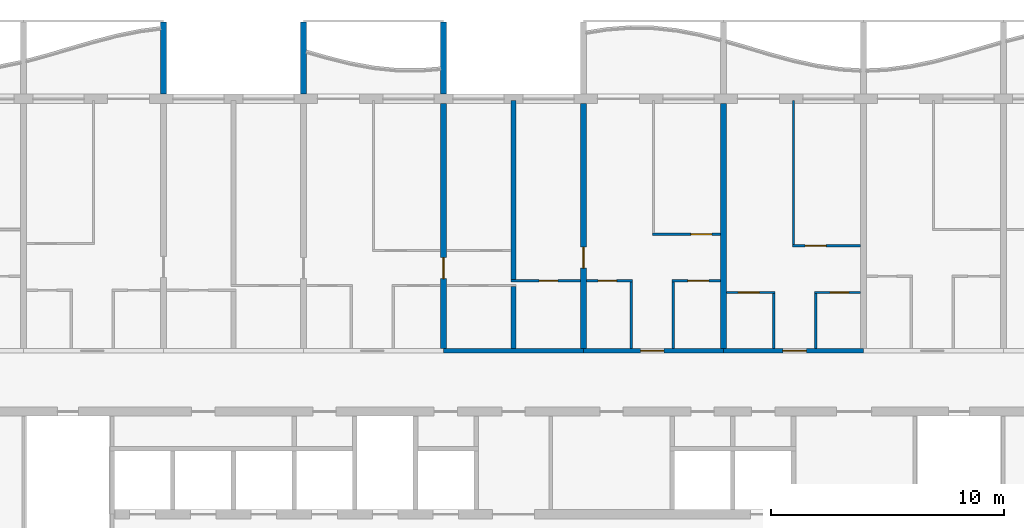
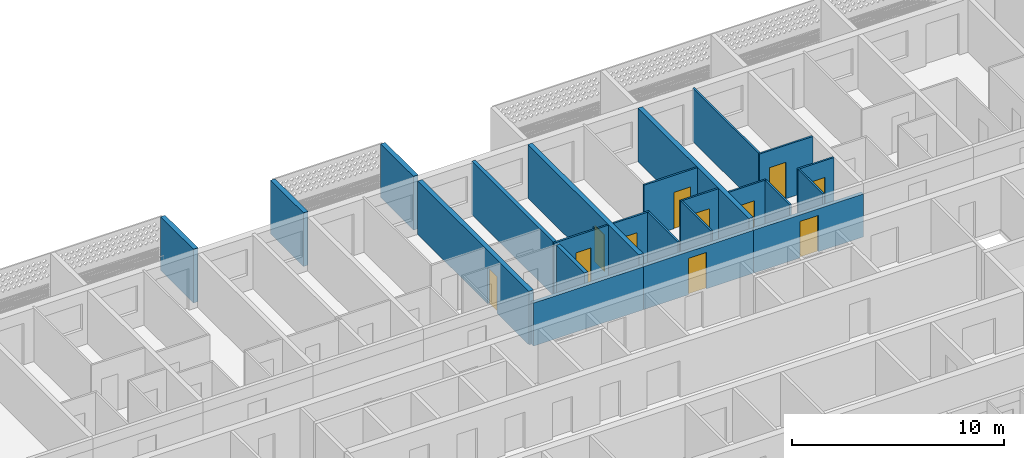
# One storey, part 9 of 28: 23 walls, 11 doors, 11 openings.
"""IFC4 building model written with IfcOpenShell, lengths in metres."""

from ifc_helpers import new_model, si_unit, direction, frame, frame_2d, origin, place, context, subcontext, project, spatial, polyline, rectangle, outline, extrude, source, transform, mapped, material, layer, layer_set, type_object, element, fill, save


model = new_model("IFC4")

# Units and contexts
model_context = context("Model", 3, precision=1e-05, world=origin(), true_north=direction((0.0, 1.0)))
body_context = subcontext(model_context, "Body", "Model", "MODEL_VIEW")
ifc_project = project(units=[si_unit("LENGTHUNIT", "METRE"), si_unit("AREAUNIT", "SQUARE_METRE"), si_unit("VOLUMEUNIT", "CUBIC_METRE"), si_unit("PLANEANGLEUNIT", "RADIAN"), si_unit("MASSUNIT", "GRAM", prefix="KILO")], contexts=[model_context])

# Site, building, storey
site_placement = place(None, origin())
site = spatial("IfcSite", under=ifc_project, at=site_placement, CompositionType="ELEMENT")
building_placement = place(site_placement, origin())
building = spatial("IfcBuilding", under=site, at=building_placement, Name="Poui Terraces", CompositionType="ELEMENT")
storey_placement = place(building_placement, frame((0.0, 0.0, 188.39990234375)))
storey = spatial("IfcBuildingStorey", under=building, at=storey_placement, Name="L52", CompositionType="ELEMENT", Elevation=188.39990234375)

# Wall
ifc_material_1 = material(Name="Concrete 50 MPa", Category="concrete")
ifc_layer_1 = layer(ifc_material_1, 0.199951171875)
ifc_layer_set_1 = layer_set([ifc_layer_1], Name="Concrete 50 MPa")
wall_type_1 = type_object("IfcWallType", Name="CORRIDOR WALL 200 50MPa", PredefinedType="SHEAR", material=ifc_layer_set_1)
wall_1_placement = place(storey_placement, frame((48.0, 30.39990234375, 0.0), z_axis=(0.0, 0.0, 1.0), x_axis=(1.0, 0.0, 0.0)))
element("IfcWall", 1, at=wall_1_placement, inside=storey, type_object=wall_type_1, Name="CORRIDOR WALL LINE E BAY 6", PredefinedType="SHEAR", context=body_context, shape_type="SweptSolid", body=[
    extrude(rectangle(XDim=6.0, YDim=0.199951171875, at=frame_2d((3.0, 0.0))), origin(), (0.0, 0.0, 1.0), 2.47998046875),
])

# Wall, opening, door
wall_2_placement = place(storey_placement, frame((54.0, 30.39990234375, 0.0), z_axis=(0.0, 0.0, 1.0), x_axis=(1.0, 0.0, 0.0)))
wall_2 = element("IfcWall", 2, at=wall_2_placement, inside=storey, type_object=wall_type_1, Name="CORRIDOR WALL LINE E BAY 7", PredefinedType="SHEAR", context=body_context, shape_type="SweptSolid", body=[
    extrude(rectangle(XDim=6.0, YDim=0.199951171875, at=frame_2d((3.0, 0.0))), origin(), (0.0, 0.0, 1.0), 2.47998046875),
])
opening_1_placement = place(wall_2_placement, frame((2.449951171875, 0.0, 0.0)))
opening_1 = element("IfcOpeningElement", 3, at=opening_1_placement, cuts=wall_2, Name="Opening FD30S", PredefinedType="OPENING", context=body_context, shape_type="SweptSolid", body=[
    extrude(rectangle(XDim=1.0, YDim=2.10009765625, at=frame_2d((0.5, 1.050048828125))), frame((0.0, 0.10986328125, 0.0), z_axis=(0.0, -1.0, 0.0), x_axis=(1.0, 0.0, 0.0)), (0.0, 0.0, 1.0), 0.219970703125),
])
ifc_material_2 = material(Name="Steel fire door", Category="steel")
door_type_1 = type_object("IfcDoorType", Name="FLAT ENTRANCE DOOR 1000 X 2100", OperationType="NOTDEFINED", PredefinedType="DOOR", material=ifc_material_2)
door_1_placement = place(opening_1_placement, origin())
door_1 = element("IfcDoor", 4, at=door_1_placement, inside=storey, type_object=door_type_1, Name="FLAT ENTRANCE DOOR 049", OperationType="SINGLE_SWING_LEFT", OverallHeight=2.10009765625, OverallWidth=1.0, PredefinedType="DOOR", context=body_context, shape_type="SweptSolid", body=[
    extrude(rectangle(XDim=1.0, YDim=2.10009765625, at=frame_2d((0.5, 1.050048828125))), frame((0.0, 0.02490234375, 0.0), z_axis=(0.0, -1.0, 0.0), x_axis=(1.0, 0.0, 0.0)), (0.0, 0.0, 1.0), 0.050048828125),
])
fill(opening_1, door_1)

wall_3_placement = place(storey_placement, frame((60.0, 30.39990234375, 0.0), z_axis=(0.0, 0.0, 1.0), x_axis=(1.0, 0.0, 0.0)))
wall_3 = element("IfcWall", 5, at=wall_3_placement, inside=storey, type_object=wall_type_1, Name="CORRIDOR WALL LINE E BAY 8", PredefinedType="SHEAR", context=body_context, shape_type="SweptSolid", body=[
    extrude(rectangle(XDim=6.0, YDim=0.199951171875, at=frame_2d((3.0, 0.0))), origin(), (0.0, 0.0, 1.0), 2.47998046875),
])
opening_2_placement = place(wall_3_placement, frame((2.550048828125, 0.0, 0.0)))
opening_2 = element("IfcOpeningElement", 6, at=opening_2_placement, cuts=wall_3, Name="Opening FD30S", PredefinedType="OPENING", context=body_context, shape_type="SweptSolid", body=[
    extrude(rectangle(XDim=1.0, YDim=2.10009765625, at=frame_2d((0.5, 1.050048828125))), frame((0.0, 0.10986328125, 0.0), z_axis=(0.0, -1.0, 0.0), x_axis=(1.0, 0.0, 0.0)), (0.0, 0.0, 1.0), 0.219970703125),
])
door_2_placement = place(opening_2_placement, origin())
door_2 = element("IfcDoor", 7, at=door_2_placement, inside=storey, type_object=door_type_1, Name="FLAT ENTRANCE DOOR 053", OperationType="SINGLE_SWING_RIGHT", OverallHeight=2.10009765625, OverallWidth=1.0, PredefinedType="DOOR", context=body_context, shape_type="SweptSolid", body=[
    extrude(rectangle(XDim=1.0, YDim=2.10009765625, at=frame_2d((0.5, 1.050048828125))), frame((0.0, 0.02490234375, 0.0), z_axis=(0.0, -1.0, 0.0), x_axis=(1.0, 0.0, 0.0)), (0.0, 0.0, 1.0), 0.050048828125),
])
fill(opening_2, door_2)

ifc_layer_2 = layer(ifc_material_1, 0.25)
ifc_layer_set_2 = layer_set([ifc_layer_2], Name="Concrete 50 MPa")
wall_type_2 = type_object("IfcWallType", Name="CROSS WALL 250 50MPa", PredefinedType="SHEAR", material=ifc_layer_set_2)
wall_4_placement = place(storey_placement, frame((48.0, 30.5, 0.0), z_axis=(0.0, 0.0, 1.0), x_axis=(0.0, 1.0, 0.0)))
wall_4 = element("IfcWall", 8, at=wall_4_placement, inside=storey, type_object=wall_type_2, Name="CROSS WALL LINE 9 NORTH", PredefinedType="SHEAR", context=body_context, shape_type="SweptSolid", body=[
    extrude(rectangle(XDim=10.5, YDim=0.25, at=frame_2d((5.25, 0.0))), origin(), (0.0, 0.0, 1.0), 3.080078125),
])
opening_3_placement = place(wall_4_placement, frame((3.0, 0.0, 0.0)))
opening_3 = element("IfcOpeningElement", 9, at=opening_3_placement, cuts=wall_4, Name="Opening D90", PredefinedType="OPENING", context=body_context, shape_type="SweptSolid", body=[
    extrude(rectangle(XDim=0.89990234375, YDim=2.10009765625, at=frame_2d((0.449951171875, 1.050048828125))), frame((0.0, 0.135009765625, 0.0), z_axis=(0.0, -1.0, 0.0), x_axis=(1.0, 0.0, 0.0)), (0.0, 0.0, 1.0), 0.27001953125),
])
ifc_material_3 = material(Name="Solid core timber door", Category="wood")
door_type_2 = type_object("IfcDoorType", Name="INTERNAL DOOR 900 X 2100", OperationType="NOTDEFINED", PredefinedType="DOOR", material=ifc_material_3)
door_3_placement = place(opening_3_placement, origin())
door_3 = element("IfcDoor", 10, at=door_3_placement, inside=storey, type_object=door_type_2, Name="INTERNAL DOOR 045", OperationType="SINGLE_SWING_LEFT", OverallHeight=2.10009765625, OverallWidth=0.89990234375, PredefinedType="DOOR", context=body_context, shape_type="SweptSolid", body=[
    extrude(rectangle(XDim=0.89990234375, YDim=2.10009765625, at=frame_2d((0.449951171875, 1.050048828125))), frame((0.0, 0.02490234375, 0.0), z_axis=(0.0, -1.0, 0.0), x_axis=(1.0, 0.0, 0.0)), (0.0, 0.0, 1.0), 0.050048828125),
])
fill(opening_3, door_3)

wall_5_placement = place(storey_placement, frame((54.0, 30.5, 0.0), z_axis=(0.0, 0.0, 1.0), x_axis=(0.0, 1.0, 0.0)))
wall_5 = element("IfcWall", 11, at=wall_5_placement, inside=storey, type_object=wall_type_2, Name="CROSS WALL LINE 10 NORTH", PredefinedType="SHEAR", context=body_context, shape_type="SweptSolid", body=[
    extrude(rectangle(XDim=10.5, YDim=0.25, at=frame_2d((5.25, 0.0))), origin(), (0.0, 0.0, 1.0), 3.080078125),
])
opening_4_placement = place(wall_5_placement, frame((3.449951171875, 0.0, 0.0)))
opening_4 = element("IfcOpeningElement", 12, at=opening_4_placement, cuts=wall_5, Name="Opening D90", PredefinedType="OPENING", context=body_context, shape_type="SweptSolid", body=[
    extrude(rectangle(XDim=0.89990234375, YDim=2.10009765625, at=frame_2d((0.449951171875, 1.050048828125))), frame((0.0, 0.135009765625, 0.0), z_axis=(0.0, -1.0, 0.0), x_axis=(1.0, 0.0, 0.0)), (0.0, 0.0, 1.0), 0.27001953125),
])
door_4_placement = place(opening_4_placement, origin())
door_4 = element("IfcDoor", 13, at=door_4_placement, inside=storey, type_object=door_type_2, Name="INTERNAL DOOR 047", OperationType="SINGLE_SWING_LEFT", OverallHeight=2.10009765625, OverallWidth=0.89990234375, PredefinedType="DOOR", context=body_context, shape_type="SweptSolid", body=[
    extrude(rectangle(XDim=0.89990234375, YDim=2.10009765625, at=frame_2d((0.449951171875, 1.050048828125))), frame((0.0, 0.02490234375, 0.0), z_axis=(0.0, -1.0, 0.0), x_axis=(1.0, 0.0, 0.0)), (0.0, 0.0, 1.0), 0.050048828125),
])
fill(opening_4, door_4)

# Wall
wall_6_placement = place(storey_placement, frame((60.0, 30.5, 0.0), z_axis=(0.0, 0.0, 1.0), x_axis=(0.0, 1.0, 0.0)))
element("IfcWall", 14, at=wall_6_placement, inside=storey, type_object=wall_type_2, Name="CROSS WALL LINE 11 NORTH", PredefinedType="SHEAR", context=body_context, shape_type="SweptSolid", body=[
    extrude(rectangle(XDim=10.5, YDim=0.25, at=frame_2d((5.25, 0.0))), origin(), (0.0, 0.0, 1.0), 3.080078125),
])

# Wall, opening, door
ifc_material_4 = material(Name="Plasterboard partition")
ifc_layer_3 = layer(ifc_material_4, 0.10009765625)
ifc_layer_set_3 = layer_set([ifc_layer_3], Name="Plasterboard partition")
wall_type_3 = type_object("IfcWallType", Name="FLAT PARTITION 100", PredefinedType="PARTITIONING", material=ifc_layer_set_3)
wall_7_placement = place(storey_placement, frame((60.135009765625, 32.89990234375, 0.0), z_axis=(0.0, 0.0, 1.0), x_axis=(1.0, 0.0, 0.0)))
wall_7 = element("IfcWall", 15, at=wall_7_placement, inside=storey, type_object=wall_type_3, Name="FLAT PARTITION 100", PredefinedType="PARTITIONING", context=body_context, shape_type="SweptSolid", body=[
    extrude(rectangle(XDim=2.06494140625, YDim=0.10009765625, at=frame_2d((1.032470703125, 0.0))), origin(), (0.0, 0.0, 1.0), 3.080078125),
])
opening_5_placement = place(wall_7_placement, frame((0.489990234375, 0.0, 0.0)))
opening_5 = element("IfcOpeningElement", 16, at=opening_5_placement, cuts=wall_7, Name="Opening D90", PredefinedType="OPENING", context=body_context, shape_type="SweptSolid", body=[
    extrude(rectangle(XDim=0.89990234375, YDim=2.10009765625, at=frame_2d((0.449951171875, 1.050048828125))), frame((0.0, 0.06005859375, 0.0), z_axis=(0.0, -1.0, 0.0), x_axis=(1.0, 0.0, 0.0)), (0.0, 0.0, 1.0), 0.1201171875),
])
door_5_placement = place(opening_5_placement, frame((0.89990234375, 0.0, 0.0), z_axis=(0.0, 0.0, 1.0), x_axis=(-1.0, 0.0, 0.0)))
door_5 = element("IfcDoor", 17, at=door_5_placement, inside=storey, type_object=door_type_2, Name="INTERNAL DOOR 052", OperationType="SINGLE_SWING_LEFT", OverallHeight=2.10009765625, OverallWidth=0.89990234375, PredefinedType="DOOR", context=body_context, shape_type="SweptSolid", body=[
    extrude(rectangle(XDim=0.89990234375, YDim=2.10009765625, at=frame_2d((0.449951171875, 1.050048828125))), frame((0.0, 0.02490234375, 0.0), z_axis=(0.0, -1.0, 0.0), x_axis=(1.0, 0.0, 0.0)), (0.0, 0.0, 1.0), 0.050048828125),
])
fill(opening_5, door_5)

wall_8_placement = place(storey_placement, frame((63.89990234375, 32.89990234375, 0.0), z_axis=(0.0, 0.0, 1.0), x_axis=(1.0, 0.0, 0.0)))
wall_8 = element("IfcWall", 18, at=wall_8_placement, inside=storey, type_object=wall_type_3, Name="FLAT PARTITION 100", PredefinedType="PARTITIONING", context=body_context, shape_type="SweptSolid", body=[
    extrude(rectangle(XDim=1.965087890625, YDim=0.10009765625, at=frame_2d((0.982421875, 0.0))), origin(), (0.0, 0.0, 1.0), 3.080078125),
])
opening_6_placement = place(wall_8_placement, frame((0.675048828125, 0.0, 0.0)))
opening_6 = element("IfcOpeningElement", 19, at=opening_6_placement, cuts=wall_8, Name="Opening D80", PredefinedType="OPENING", context=body_context, shape_type="SweptSolid", body=[
    extrude(rectangle(XDim=0.800048828125, YDim=2.10009765625, at=frame_2d((0.39990234375, 1.050048828125))), frame((0.0, 0.06005859375, 0.0), z_axis=(0.0, -1.0, 0.0), x_axis=(1.0, 0.0, 0.0)), (0.0, 0.0, 1.0), 0.1201171875),
])
door_type_3 = type_object("IfcDoorType", Name="BATHROOM, LAUNDRY AND STORE DOOR 800 X 2100", OperationType="NOTDEFINED", PredefinedType="DOOR", material=ifc_material_3)
door_6_placement = place(opening_6_placement, frame((0.800048828125, 0.0, 0.0), z_axis=(0.0, 0.0, 1.0), x_axis=(-1.0, 0.0, 0.0)))
door_6 = element("IfcDoor", 20, at=door_6_placement, inside=storey, type_object=door_type_3, Name="BATHROOM, LAUNDRY AND STORE DOOR 055", OperationType="SINGLE_SWING_RIGHT", OverallHeight=2.10009765625, OverallWidth=0.800048828125, PredefinedType="DOOR", context=body_context, shape_type="SweptSolid", body=[
    extrude(rectangle(XDim=0.800048828125, YDim=2.10009765625, at=frame_2d((0.39990234375, 1.050048828125))), frame((0.0, 0.02490234375, 0.0), z_axis=(0.0, -1.0, 0.0), x_axis=(1.0, 0.0, 0.0)), (0.0, 0.0, 1.0), 0.050048828125),
])
fill(opening_6, door_6)

wall_9_placement = place(storey_placement, frame((50.89990234375, 33.39990234375, 0.0), z_axis=(0.0, 0.0, 1.0), x_axis=(1.0, 0.0, 0.0)))
wall_9 = element("IfcWall", 21, at=wall_9_placement, inside=storey, type_object=wall_type_3, Name="FLAT PARTITION 100", PredefinedType="PARTITIONING", context=body_context, shape_type="SweptSolid", body=[
    extrude(rectangle(XDim=2.965087890625, YDim=0.10009765625, at=frame_2d((1.482421875, 0.0))), origin(), (0.0, 0.0, 1.0), 3.080078125),
])
opening_7_placement = place(wall_9_placement, frame((1.199951171875, 0.0, 0.0)))
opening_7 = element("IfcOpeningElement", 22, at=opening_7_placement, cuts=wall_9, Name="Opening D80", PredefinedType="OPENING", context=body_context, shape_type="SweptSolid", body=[
    extrude(rectangle(XDim=0.800048828125, YDim=2.10009765625, at=frame_2d((0.39990234375, 1.050048828125))), frame((0.0, 0.06005859375, 0.0), z_axis=(0.0, -1.0, 0.0), x_axis=(1.0, 0.0, 0.0)), (0.0, 0.0, 1.0), 0.1201171875),
])
door_7_placement = place(opening_7_placement, frame((0.800048828125, 0.0, 0.0), z_axis=(0.0, 0.0, 1.0), x_axis=(-1.0, 0.0, 0.0)))
door_7 = element("IfcDoor", 23, at=door_7_placement, inside=storey, type_object=door_type_3, Name="BATHROOM, LAUNDRY AND STORE DOOR 046", OperationType="SINGLE_SWING_RIGHT", OverallHeight=2.10009765625, OverallWidth=0.800048828125, PredefinedType="DOOR", context=body_context, shape_type="SweptSolid", body=[
    extrude(rectangle(XDim=0.800048828125, YDim=2.10009765625, at=frame_2d((0.39990234375, 1.050048828125))), frame((0.0, 0.02490234375, 0.0), z_axis=(0.0, -1.0, 0.0), x_axis=(1.0, 0.0, 0.0)), (0.0, 0.0, 1.0), 0.050048828125),
])
fill(opening_7, door_7)

wall_10_placement = place(storey_placement, frame((54.135009765625, 33.39990234375, 0.0), z_axis=(0.0, 0.0, 1.0), x_axis=(1.0, 0.0, 0.0)))
wall_10 = element("IfcWall", 24, at=wall_10_placement, inside=storey, type_object=wall_type_3, Name="FLAT PARTITION 100", PredefinedType="PARTITIONING", context=body_context, shape_type="SweptSolid", body=[
    extrude(rectangle(XDim=1.965087890625, YDim=0.10009765625, at=frame_2d((0.982421875, 0.0))), origin(), (0.0, 0.0, 1.0), 3.080078125),
])
opening_8_placement = place(wall_10_placement, frame((0.489990234375, 0.0, 0.0)))
opening_8 = element("IfcOpeningElement", 25, at=opening_8_placement, cuts=wall_10, Name="Opening D80", PredefinedType="OPENING", context=body_context, shape_type="SweptSolid", body=[
    extrude(rectangle(XDim=0.800048828125, YDim=2.10009765625, at=frame_2d((0.39990234375, 1.050048828125))), frame((0.0, 0.06005859375, 0.0), z_axis=(0.0, -1.0, 0.0), x_axis=(1.0, 0.0, 0.0)), (0.0, 0.0, 1.0), 0.1201171875),
])
door_8_placement = place(opening_8_placement, frame((0.800048828125, 0.0, 0.0), z_axis=(0.0, 0.0, 1.0), x_axis=(-1.0, 0.0, 0.0)))
door_8 = element("IfcDoor", 26, at=door_8_placement, inside=storey, type_object=door_type_3, Name="BATHROOM, LAUNDRY AND STORE DOOR 048", OperationType="SINGLE_SWING_RIGHT", OverallHeight=2.10009765625, OverallWidth=0.800048828125, PredefinedType="DOOR", context=body_context, shape_type="SweptSolid", body=[
    extrude(rectangle(XDim=0.800048828125, YDim=2.10009765625, at=frame_2d((0.39990234375, 1.050048828125))), frame((0.0, 0.02490234375, 0.0), z_axis=(0.0, -1.0, 0.0), x_axis=(1.0, 0.0, 0.0)), (0.0, 0.0, 1.0), 0.050048828125),
])
fill(opening_8, door_8)

wall_11_placement = place(storey_placement, frame((57.800048828125, 33.39990234375, 0.0), z_axis=(0.0, 0.0, 1.0), x_axis=(1.0, 0.0, 0.0)))
wall_11 = element("IfcWall", 27, at=wall_11_placement, inside=storey, type_object=wall_type_3, Name="FLAT PARTITION 100", PredefinedType="PARTITIONING", context=body_context, shape_type="SweptSolid", body=[
    extrude(rectangle(XDim=2.06494140625, YDim=0.10009765625, at=frame_2d((1.032470703125, 0.0))), origin(), (0.0, 0.0, 1.0), 3.080078125),
])
opening_9_placement = place(wall_11_placement, frame((0.675048828125, 0.0, 0.0)))
opening_9 = element("IfcOpeningElement", 28, at=opening_9_placement, cuts=wall_11, Name="Opening D90", PredefinedType="OPENING", context=body_context, shape_type="SweptSolid", body=[
    extrude(rectangle(XDim=0.89990234375, YDim=2.10009765625, at=frame_2d((0.449951171875, 1.050048828125))), frame((0.0, 0.06005859375, 0.0), z_axis=(0.0, -1.0, 0.0), x_axis=(1.0, 0.0, 0.0)), (0.0, 0.0, 1.0), 0.1201171875),
])
door_9_placement = place(opening_9_placement, frame((0.89990234375, 0.0, 0.0), z_axis=(0.0, 0.0, 1.0), x_axis=(-1.0, 0.0, 0.0)))
door_9 = element("IfcDoor", 29, at=door_9_placement, inside=storey, type_object=door_type_2, Name="INTERNAL DOOR 050", OperationType="SINGLE_SWING_LEFT", OverallHeight=2.10009765625, OverallWidth=0.89990234375, PredefinedType="DOOR", context=body_context, shape_type="SweptSolid", body=[
    extrude(rectangle(XDim=0.89990234375, YDim=2.10009765625, at=frame_2d((0.449951171875, 1.050048828125))), frame((0.0, 0.02490234375, 0.0), z_axis=(0.0, -1.0, 0.0), x_axis=(1.0, 0.0, 0.0)), (0.0, 0.0, 1.0), 0.050048828125),
])
fill(opening_9, door_9)

wall_12_placement = place(storey_placement, frame((62.949951171875, 34.89990234375, 0.0), z_axis=(0.0, 0.0, 1.0), x_axis=(1.0, 0.0, 0.0)))
wall_12 = element("IfcWall", 30, at=wall_12_placement, inside=storey, type_object=wall_type_3, Name="FLAT PARTITION 100", PredefinedType="PARTITIONING", context=body_context, shape_type="SweptSolid", body=[
    extrude(rectangle(XDim=2.9150390625, YDim=0.10009765625, at=frame_2d((1.45751953125, 0.0))), origin(), (0.0, 0.0, 1.0), 3.080078125),
])
opening_10_placement = place(wall_12_placement, frame((0.550048828125, 0.0, 0.0)))
opening_10 = element("IfcOpeningElement", 31, at=opening_10_placement, cuts=wall_12, Name="Opening D90", PredefinedType="OPENING", context=body_context, shape_type="SweptSolid", body=[
    extrude(rectangle(XDim=0.89990234375, YDim=2.10009765625, at=frame_2d((0.449951171875, 1.050048828125))), frame((0.0, 0.06005859375, 0.0), z_axis=(0.0, -1.0, 0.0), x_axis=(1.0, 0.0, 0.0)), (0.0, 0.0, 1.0), 0.1201171875),
])
door_10_placement = place(opening_10_placement, frame((0.89990234375, 0.0, 0.0), z_axis=(0.0, 0.0, 1.0), x_axis=(-1.0, 0.0, 0.0)))
door_10 = element("IfcDoor", 32, at=door_10_placement, inside=storey, type_object=door_type_2, Name="INTERNAL DOOR 054", OperationType="SINGLE_SWING_LEFT", OverallHeight=2.10009765625, OverallWidth=0.89990234375, PredefinedType="DOOR", context=body_context, shape_type="SweptSolid", body=[
    extrude(rectangle(XDim=0.89990234375, YDim=2.10009765625, at=frame_2d((0.449951171875, 1.050048828125))), frame((0.0, 0.02490234375, 0.0), z_axis=(0.0, -1.0, 0.0), x_axis=(1.0, 0.0, 0.0)), (0.0, 0.0, 1.0), 0.050048828125),
])
fill(opening_10, door_10)

wall_13_placement = place(storey_placement, frame((56.949951171875, 35.39990234375, 0.0), z_axis=(0.0, 0.0, 1.0), x_axis=(1.0, 0.0, 0.0)))
wall_13 = element("IfcWall", 33, at=wall_13_placement, inside=storey, type_object=wall_type_3, Name="FLAT PARTITION 100", PredefinedType="PARTITIONING", context=body_context, shape_type="SweptSolid", body=[
    extrude(rectangle(XDim=2.9150390625, YDim=0.10009765625, at=frame_2d((1.45751953125, 0.0))), origin(), (0.0, 0.0, 1.0), 3.080078125),
])
opening_11_placement = place(wall_13_placement, frame((1.64990234375, 0.0, 0.0)))
opening_11 = element("IfcOpeningElement", 34, at=opening_11_placement, cuts=wall_13, Name="Opening D90", PredefinedType="OPENING", context=body_context, shape_type="SweptSolid", body=[
    extrude(rectangle(XDim=0.89990234375, YDim=2.10009765625, at=frame_2d((0.449951171875, 1.050048828125))), frame((0.0, 0.06005859375, 0.0), z_axis=(0.0, -1.0, 0.0), x_axis=(1.0, 0.0, 0.0)), (0.0, 0.0, 1.0), 0.1201171875),
])
door_11_placement = place(opening_11_placement, frame((0.89990234375, 0.0, 0.0), z_axis=(0.0, 0.0, 1.0), x_axis=(-1.0, 0.0, 0.0)))
door_11 = element("IfcDoor", 35, at=door_11_placement, inside=storey, type_object=door_type_2, Name="INTERNAL DOOR 051", OperationType="SINGLE_SWING_RIGHT", OverallHeight=2.10009765625, OverallWidth=0.89990234375, PredefinedType="DOOR", context=body_context, shape_type="SweptSolid", body=[
    extrude(rectangle(XDim=0.89990234375, YDim=2.10009765625, at=frame_2d((0.449951171875, 1.050048828125))), frame((0.0, 0.02490234375, 0.0), z_axis=(0.0, -1.0, 0.0), x_axis=(1.0, 0.0, 0.0)), (0.0, 0.0, 1.0), 0.050048828125),
])
fill(opening_11, door_11)

# Walls
for number, where, z_axis, x_axis, name in (
    (36, (56.050048828125, 30.510009765625, 0.0), (0.0, 0.0, 1.0), (0.0, 1.0, 0.0), "FLAT PARTITION 100"),
    (37, (57.85009765625, 30.510009765625, 0.0), (0.0, 0.0, 1.0), (0.0, 1.0, 0.0), "FLAT PARTITION 100"),
):
    element("IfcWall", number, at=place(storey_placement, frame(where, z_axis=z_axis, x_axis=x_axis)), inside=storey, type_object=wall_type_3, Name=name, PredefinedType="PARTITIONING", context=body_context, shape_type="SweptSolid", body=[
        extrude(rectangle(XDim=2.840087890625, YDim=0.10009765625, at=frame_2d((1.419921875, 0.0))), origin(), (0.0, 0.0, 1.0), 3.080078125),
    ])
wall_14_placement = place(storey_placement, frame((62.14990234375, 30.510009765625, 0.0), z_axis=(0.0, 0.0, 1.0), x_axis=(0.0, 1.0, 0.0)))
element("IfcWall", 38, at=wall_14_placement, inside=storey, type_object=wall_type_3, Name="FLAT PARTITION 100", PredefinedType="PARTITIONING", context=body_context, shape_type="SweptSolid", body=[
    extrude(rectangle(XDim=2.340087890625, YDim=0.10009765625, at=frame_2d((1.169921875, 0.0))), origin(), (0.0, 0.0, 1.0), 3.080078125),
])
wall_15_placement = place(storey_placement, frame((63.0, 34.949951171875, 0.0), z_axis=(0.0, 0.0, 1.0), x_axis=(0.0, 1.0, 0.0)))
element("IfcWall", 39, at=wall_15_placement, inside=storey, type_object=wall_type_3, Name="FLAT PARTITION 100", PredefinedType="PARTITIONING", context=body_context, shape_type="SweptSolid", body=[
    extrude(rectangle(XDim=6.18994140625, YDim=0.10009765625, at=frame_2d((3.094970703125, 0.0))), origin(), (0.0, 0.0, 1.0), 3.080078125),
])
wall_16_placement = place(storey_placement, frame((63.949951171875, 30.510009765625, 0.0), z_axis=(0.0, 0.0, 1.0), x_axis=(0.0, 1.0, 0.0)))
element("IfcWall", 40, at=wall_16_placement, inside=storey, type_object=wall_type_3, Name="FLAT PARTITION 100", PredefinedType="PARTITIONING", context=body_context, shape_type="SweptSolid", body=[
    extrude(rectangle(XDim=2.340087890625, YDim=0.10009765625, at=frame_2d((1.169921875, 0.0))), origin(), (0.0, 0.0, 1.0), 3.080078125),
])
ifc_material_5 = material(Name="Fire-rated masonry wall", Category="masonry")
ifc_layer_4 = layer(ifc_material_5, 0.199951171875)
ifc_layer_set_4 = layer_set([ifc_layer_4], Name="Fire-rated masonry wall")
wall_type_4 = type_object("IfcWallType", Name="FLAT PARTY WALL 200", PredefinedType="PARTITIONING", material=ifc_layer_set_4)
wall_17_placement = place(storey_placement, frame((51.0, 30.510009765625, 0.0), z_axis=(0.0, 0.0, 1.0), x_axis=(0.0, 1.0, 0.0)))
element("IfcWall", 41, at=wall_17_placement, inside=storey, type_object=wall_type_4, Name="FLAT PARTY WALL 200", PredefinedType="PARTITIONING", context=body_context, shape_type="SweptSolid", body=[
    extrude(rectangle(XDim=2.639892578125, YDim=0.199951171875, at=frame_2d((1.31982421875, 0.0))), origin(), (0.0, 0.0, 1.0), 3.080078125),
])
wall_18_placement = place(storey_placement, frame((51.0, 33.449951171875, 0.0), z_axis=(0.0, 0.0, 1.0), x_axis=(0.0, 1.0, 0.0)))
element("IfcWall", 42, at=wall_18_placement, inside=storey, type_object=wall_type_4, Name="FLAT PARTY WALL 200", PredefinedType="PARTITIONING", context=body_context, shape_type="SweptSolid", body=[
    extrude(rectangle(XDim=7.68994140625, YDim=0.199951171875, at=frame_2d((3.844970703125, 0.0))), origin(), (0.0, 0.0, 1.0), 3.080078125),
])
ifc_material_6 = material(Name="Precast concrete 40 MPa", Category="concrete")
ifc_layer_5 = layer(ifc_material_6, 0.25)
ifc_layer_set_5 = layer_set([ifc_layer_5], Name="Precast concrete 40 MPa")
wall_type_5 = type_object("IfcWallType", Name="BALCONY FIN 250", PredefinedType="STANDARD", material=ifc_layer_set_5)
shared_shape = source(origin(), body_context, "Body", "SweptSolid", [
    extrude(outline(polyline([(0.0, 0.0), (0.25, 0.0), (0.25, 3.10009765625), (0.0, 3.10009765625), (0.0, 0.0)])), origin(), (0.0, 0.0, 1.0), 3.10009765625),
])
for number, where, name in (
    (43, (35.875, 41.39990234375, 0.0), "BALCONY FIN"),
    (44, (41.875, 41.39990234375, 0.0), "BALCONY FIN"),
    (45, (47.875, 41.39990234375, 0.0), "BALCONY FIN"),
):
    element("IfcWall", number, at=place(storey_placement, frame(where)), inside=storey, type_object=wall_type_5, Name=name, PredefinedType="STANDARD", context=body_context, shape_type="MappedRepresentation", body=[
        mapped(shared_shape, transform((0.0, 0.0, 0.0))),
    ])

save(model, "model.ifc")
